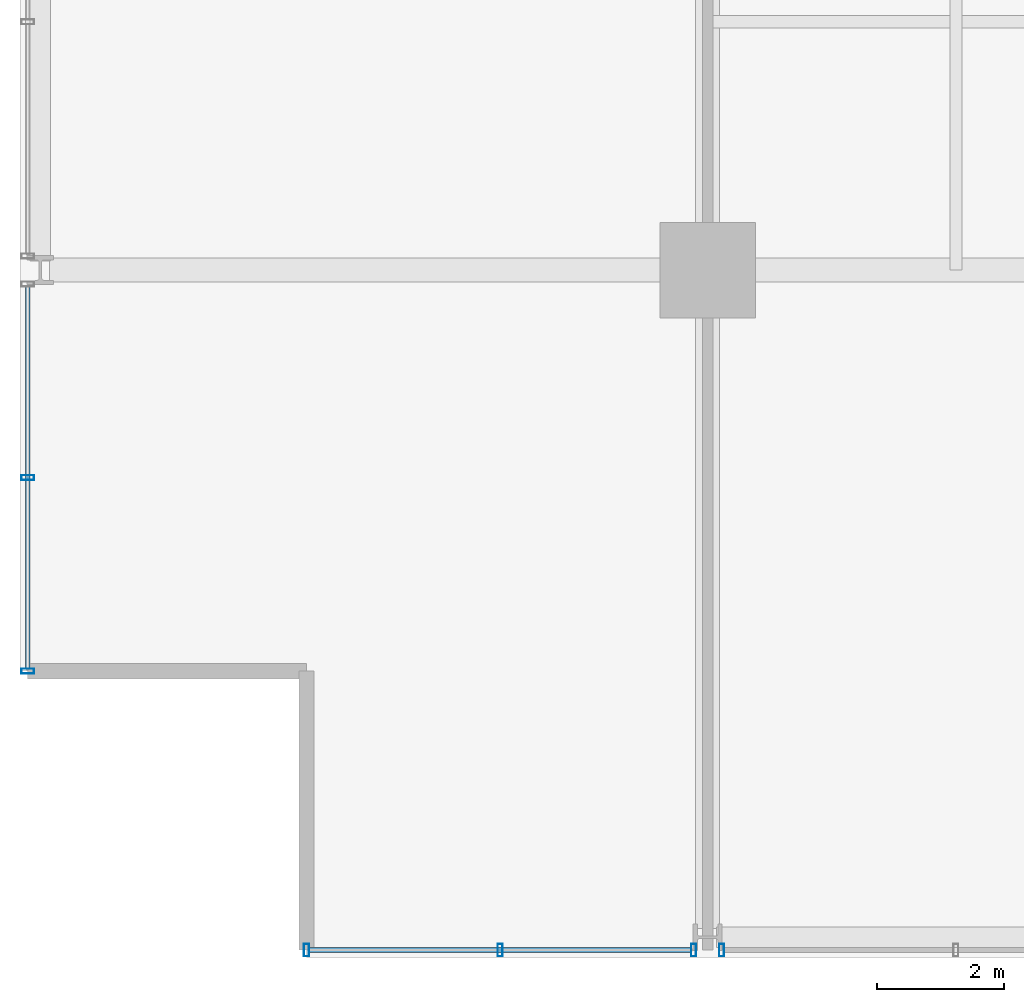
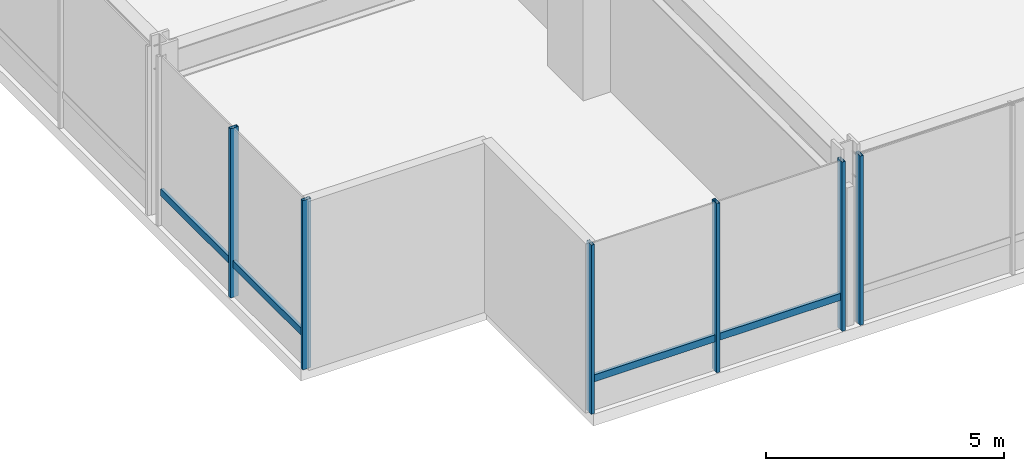
# One storey, part 2 of 33: 8 members, 3 elements without a shape of their own.
"""IFC4 building model written with IfcOpenShell, lengths in metres."""

from ifc_helpers import new_model, si_unit, direction, frame, origin, origin_2d, place, context, subcontext, project, spatial, hollow_rectangle, extrude, material, layer, layer_set, material_profile, profile_set, type_object, element, aggregate, save


model = new_model("IFC4")

# Units and contexts
model_context = context("Model", 3, precision=1e-05, world=origin(), true_north=direction((0.0, 1.0)))
body_context = subcontext(model_context, "Body", "Model", "MODEL_VIEW")
ifc_project = project(units=[si_unit("LENGTHUNIT", "METRE"), si_unit("AREAUNIT", "SQUARE_METRE"), si_unit("VOLUMEUNIT", "CUBIC_METRE"), si_unit("PLANEANGLEUNIT", "RADIAN"), si_unit("MASSUNIT", "GRAM", prefix="KILO")], contexts=[model_context])

# Site, building, storey
site_placement = place(None, origin())
site = spatial("IfcSite", under=ifc_project, at=site_placement, CompositionType="ELEMENT")
building_placement = place(site_placement, origin())
building = spatial("IfcBuilding", under=site, at=building_placement, Name="Drelvath Grand Hotel", CompositionType="ELEMENT")
storey_placement = place(building_placement, frame((0.0, 0.0, 87.199951171875)))
storey = spatial("IfcBuildingStorey", under=building, at=storey_placement, Name="L21", CompositionType="ELEMENT", Elevation=87.199951171875)

# Curtain wall, member
ifc_material = material(Name="Champagne Bronze Anodised Aluminium Frame", Category="aluminium")
ifc_layer = layer(ifc_material, 0.199951171875)
ifc_layer_set = layer_set([ifc_layer], Name="Champagne Bronze Anodised Aluminium Frame")
curtain_wall_type = type_object("IfcCurtainWallType", Name="Stick Curtain Wall CW-03 Champagne Bronze Mid-Rise", PredefinedType="NOTDEFINED", material=ifc_layer_set)
curtain_wall_1_placement = place(storey_placement, origin())
curtain_wall_1 = element("IfcCurtainWall", 1, at=curtain_wall_1_placement, inside=storey, type_object=curtain_wall_type, Name="L21 CW-03 Curtain Wall CW03-L21-WS1", PredefinedType="NOTDEFINED")
ifc_material_profile_1 = material_profile(ifc_material, hollow_rectangle(XDim=0.074951171875, YDim=0.179931640625, WallThickness=0.0048828125, at=origin_2d()), Name="HSS180X75X5")
ifc_profile_set_1 = profile_set([ifc_material_profile_1], Name="Champagne Bronze Anodised Aluminium Frame")
member_type_1 = type_object("IfcMemberType", Name="Curtain Wall Horizontal Transom CW-03 HSS180X75X5", PredefinedType="USERDEFINED", material=ifc_profile_set_1)
member_1_placement = place(storey_placement, frame((-26.8798828125, 4.5400390625, 0.85009765625), z_axis=(0.0, 1.0, 0.0), x_axis=(-1.0, 0.0, 0.0)))
member_1 = element("IfcMember", 2, at=member_1_placement, type_object=member_type_1, Name="CW03-L21-WS1 Sill Transom", ObjectType="TRANSOM", PredefinedType="USERDEFINED", context=body_context, shape_type="SweptSolid", body=[
    extrude(hollow_rectangle(XDim=0.074951171875, YDim=0.179931640625, WallThickness=0.0048828125, at=origin_2d()), origin(), (0.0, 0.0, 1.0), 6.000244140625),
])

curtain_wall_2_placement = place(storey_placement, origin())
curtain_wall_2 = element("IfcCurtainWall", 3, at=curtain_wall_2_placement, inside=storey, type_object=curtain_wall_type, Name="L21 CW-03 Curtain Wall CW03-L21-SW1", PredefinedType="NOTDEFINED")
member_2_placement = place(storey_placement, frame((-16.459716796875, 0.1201171875, 0.85009765625), z_axis=(-1.0, 0.0, 0.0), x_axis=(0.0, -1.0, 0.0)))
member_2 = element("IfcMember", 4, at=member_2_placement, type_object=member_type_1, Name="CW03-L21-SW1 Sill Transom", ObjectType="TRANSOM", PredefinedType="USERDEFINED", context=body_context, shape_type="SweptSolid", body=[
    extrude(hollow_rectangle(XDim=0.074951171875, YDim=0.179931640625, WallThickness=0.0048828125, at=origin_2d()), origin(), (0.0, 0.0, 1.0), 6.000244140625),
])

# Member
ifc_material_profile_2 = material_profile(ifc_material, hollow_rectangle(XDim=0.080078125, YDim=0.199951171875, WallThickness=0.0048828125, at=origin_2d()), Name="HSS200X80X5")
ifc_profile_set_2 = profile_set([ifc_material_profile_2], Name="Champagne Bronze Anodised Aluminium Frame")
member_type_2 = type_object("IfcMemberType", Name="Curtain Wall Vertical Mullion CW-03 HSS200X80X5", PredefinedType="MULLION", material=ifc_profile_set_2)
member_3_placement = place(storey_placement, frame((-26.8798828125, 4.5, 0.0), z_axis=(0.0, 0.0, 1.0), x_axis=(0.0, 1.0, 0.0)))
member_3 = element("IfcMember", 5, at=member_3_placement, type_object=member_type_2, Name="CW03-L21-WS1 Mullion 1", PredefinedType="MULLION", context=body_context, shape_type="SweptSolid", body=[
    extrude(hollow_rectangle(XDim=0.080078125, YDim=0.199951171875, WallThickness=0.0048828125, at=origin_2d()), origin(), (0.0, 0.0, 1.0), 4.340087890625),
])

member_4_placement = place(storey_placement, frame((-26.8798828125, 7.540283203125, 0.0), z_axis=(0.0, 0.0, 1.0), x_axis=(0.0, 1.0, 0.0)))
member_4 = element("IfcMember", 6, at=member_4_placement, type_object=member_type_2, Name="CW03-L21-WS1 Mullion 2", PredefinedType="MULLION", context=body_context, shape_type="SweptSolid", body=[
    extrude(hollow_rectangle(XDim=0.080078125, YDim=0.199951171875, WallThickness=0.0048828125, at=origin_2d()), origin(), (0.0, 0.0, 1.0), 4.340087890625),
])

aggregate(curtain_wall_1, [member_3, member_4, member_1])

member_5_placement = place(storey_placement, frame((-16.419677734375, 0.1201171875, 0.0), z_axis=(0.0, 0.0, 1.0), x_axis=(1.0, 0.0, 0.0)))
member_5 = element("IfcMember", 7, at=member_5_placement, type_object=member_type_2, Name="CW03-L21-SW1 Mullion 1", PredefinedType="MULLION", context=body_context, shape_type="SweptSolid", body=[
    extrude(hollow_rectangle(XDim=0.080078125, YDim=0.199951171875, WallThickness=0.0048828125, at=origin_2d()), origin(), (0.0, 0.0, 1.0), 4.340087890625),
])

member_6_placement = place(storey_placement, frame((-19.459716796875, 0.1201171875, 0.0), z_axis=(0.0, 0.0, 1.0), x_axis=(1.0, 0.0, 0.0)))
member_6 = element("IfcMember", 8, at=member_6_placement, type_object=member_type_2, Name="CW03-L21-SW1 Mullion 2", PredefinedType="MULLION", context=body_context, shape_type="SweptSolid", body=[
    extrude(hollow_rectangle(XDim=0.080078125, YDim=0.199951171875, WallThickness=0.0048828125, at=origin_2d()), origin(), (0.0, 0.0, 1.0), 4.340087890625),
])

member_7_placement = place(storey_placement, frame((-22.5, 0.1201171875, 0.0), z_axis=(0.0, 0.0, 1.0), x_axis=(1.0, 0.0, 0.0)))
member_7 = element("IfcMember", 9, at=member_7_placement, type_object=member_type_2, Name="CW03-L21-SW1 Mullion 3", PredefinedType="MULLION", context=body_context, shape_type="SweptSolid", body=[
    extrude(hollow_rectangle(XDim=0.080078125, YDim=0.199951171875, WallThickness=0.0048828125, at=origin_2d()), origin(), (0.0, 0.0, 1.0), 4.340087890625),
])

aggregate(curtain_wall_2, [member_5, member_6, member_7, member_2])

# Curtain wall, member
curtain_wall_3_placement = place(storey_placement, origin())
curtain_wall_3 = element("IfcCurtainWall", 10, at=curtain_wall_3_placement, inside=storey, type_object=curtain_wall_type, Name="L21 CW-03 Curtain Wall CW03-L21-SW2", PredefinedType="NOTDEFINED")
member_8_placement = place(storey_placement, frame((-15.98046875, 0.1201171875, 0.0), z_axis=(0.0, 0.0, 1.0), x_axis=(1.0, 0.0, 0.0)))
member_8 = element("IfcMember", 11, at=member_8_placement, type_object=member_type_2, Name="CW03-L21-SW2 Mullion 3", PredefinedType="MULLION", context=body_context, shape_type="SweptSolid", body=[
    extrude(hollow_rectangle(XDim=0.080078125, YDim=0.199951171875, WallThickness=0.0048828125, at=origin_2d()), origin(), (0.0, 0.0, 1.0), 4.340087890625),
])
aggregate(curtain_wall_3, [member_8])

save(model, "model.ifc")
